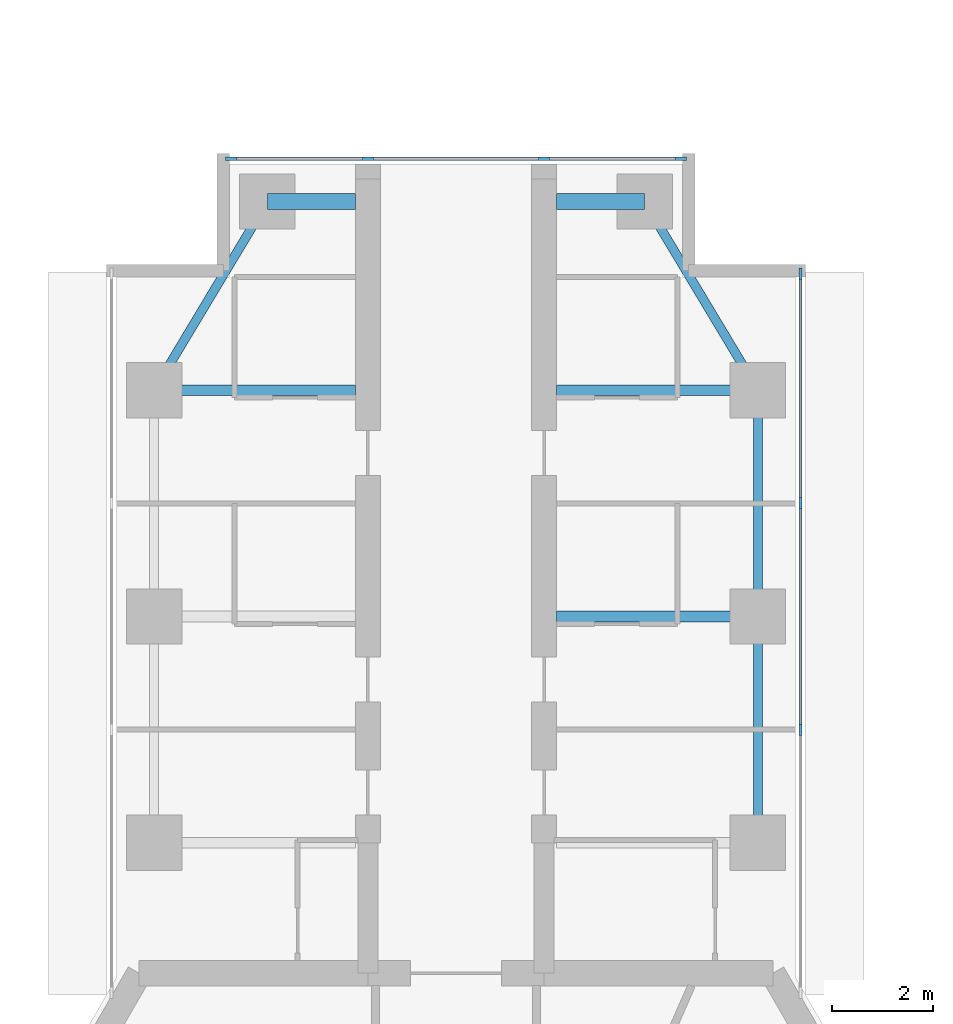
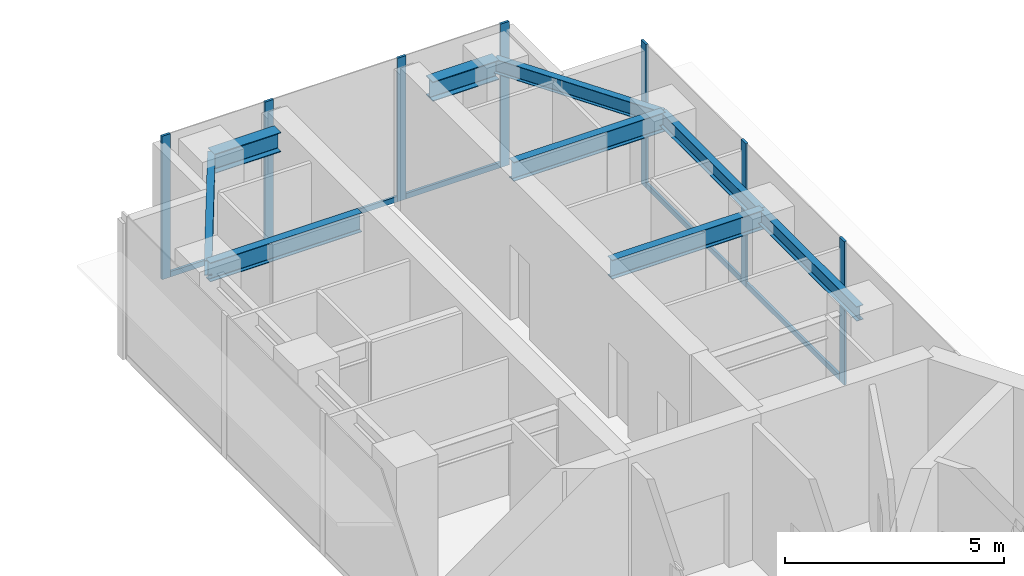
# One storey, part 9 of 18: 12 members, 9 beams, 2 elements without a shape of their own.
"""IFC4 building model written with IfcOpenShell, lengths in metres."""

import ifcopenshell
import ifcopenshell.guid

model = None  # the IFC model being written
_history = None  # IfcOwnerHistory: only IFC2X3 demands one
_inside = {}  # id of a spatial element -> (the spatial element, [elements in it])
_under = {}  # id of a project, library or spatial element -> (it, [spatial elements below it])
_declared = {}  # id of a project -> (the project, [libraries it declares])
_typed = {}  # id of a type object -> (the type object, [elements of that type])
_made_of = {}  # id of a material, layer set ... -> (it, [elements and type objects made of it])


def new_model(schema):
    """Start an empty IFC model of exactly this schema.

    Asked for "IFC4X3", IfcOpenShell would pick the latest addendum, in which some entities
    have other attributes; the version numbers below select the first issue.
    IFC2X3 requires an IfcOwnerHistory on every rooted entity: one is made here for all.
    """
    global model, _history
    if schema == "IFC4X3":
        model = ifcopenshell.file(schema_version=(4, 3, 0, 0))
    else:
        model = ifcopenshell.file(schema=schema)
    _inside.clear()
    _under.clear()
    _declared.clear()
    _typed.clear()
    _made_of.clear()
    _history = None
    if model.schema == "IFC2X3":
        org = make("IfcOrganization", Name="unknown")
        user = make(
            "IfcPersonAndOrganization",
            ThePerson=make("IfcPerson", FamilyName="unknown"),
            TheOrganization=org,
        )
        app = make(
            "IfcApplication",
            ApplicationDeveloper=org,
            Version="unknown",
            ApplicationFullName="unknown",
            ApplicationIdentifier="unknown",
        )
        _history = make(
            "IfcOwnerHistory",
            OwningUser=user,
            OwningApplication=app,
            ChangeAction="ADDED",
            CreationDate=0,
        )
    return model


def make(cls, **values):
    """One entity of the class cls with the attributes given. An attribute that is None is left unset."""
    return model.create_entity(
        cls, **{name: value for name, value in values.items() if value is not None}
    )


def rooted(cls, **values):
    """An entity with a GlobalId (a new one), such as an element, a storey or a relation."""
    return make(cls, GlobalId=ifcopenshell.guid.new(), OwnerHistory=_history, **values)


def si_unit(unit_type, name, prefix=None):
    """IfcSIUnit, for example si_unit("LENGTHUNIT", "METRE", prefix="MILLI")."""
    return make("IfcSIUnit", UnitType=unit_type, Prefix=prefix, Name=name)


def assignment(units):
    """IfcUnitAssignment: the units of a project."""
    return None if units is None else make("IfcUnitAssignment", Units=units)


def point(xyz):
    """IfcCartesianPoint."""
    return None if xyz is None else make("IfcCartesianPoint", Coordinates=xyz)


def direction(xyz):
    """IfcDirection."""
    return None if xyz is None else make("IfcDirection", DirectionRatios=xyz)


def frame(location, z_axis=None, x_axis=None):
    """IfcAxis2Placement3D, a coordinate frame: its origin and axes. An axis left out is left unset."""
    return make(
        "IfcAxis2Placement3D",
        Location=point(location),
        Axis=direction(z_axis),
        RefDirection=direction(x_axis),
    )


def frame_2d(location, x_axis=None):
    """IfcAxis2Placement2D, a coordinate frame in the plane: its origin and x axis."""
    return make(
        "IfcAxis2Placement2D", Location=point(location), RefDirection=direction(x_axis)
    )


def origin():
    """The frame at (0, 0, 0) with its axes left unset."""
    return frame((0.0, 0.0, 0.0))


def origin_2d():
    """The frame at (0, 0) in the plane with its x axis left unset."""
    return frame_2d((0.0, 0.0))


def place(relative_to, where):
    """IfcLocalPlacement: puts the frame where relative to a parent placement (None: the world)."""
    return make(
        "IfcLocalPlacement", PlacementRelTo=relative_to, RelativePlacement=where
    )


def context(
    kind, dimensions, precision=None, world=None, true_north=None, identifier=None
):
    """IfcGeometricRepresentationContext, for example the 3D "Model" context."""
    return make(
        "IfcGeometricRepresentationContext",
        ContextIdentifier=identifier,
        ContextType=kind,
        CoordinateSpaceDimension=dimensions,
        Precision=precision,
        WorldCoordinateSystem=world,
        TrueNorth=true_north,
    )


def subcontext(parent, identifier, kind, view, scale=None):
    """IfcGeometricRepresentationSubContext, for example "Body" below "Model"."""
    return make(
        "IfcGeometricRepresentationSubContext",
        ContextIdentifier=identifier,
        ContextType=kind,
        ParentContext=parent,
        TargetScale=scale,
        TargetView=view,
    )


def project(units=None, contexts=None):
    """IfcProject with its units and contexts."""
    return rooted(
        "IfcProject",
        Name="project",
        RepresentationContexts=contexts,
        UnitsInContext=assignment(units),
    )


def spatial(cls, under=None, at=None, **own):
    """A site, building, storey or space (cls), placed at a placement, below another one or the project."""
    s = rooted(cls, ObjectPlacement=at, **own)
    if under is not None:
        _under.setdefault(under.id(), (under, []))[1].append(s)
    return s


def profile(cls, at=None, kind="AREA", **sizes):
    """A parametric profile (cls). Its sizes go by their IFC names, for example OverallWidth=200.0."""
    return make(cls, ProfileType=kind, Position=at, **sizes)


def rectangle(**sizes):
    """IfcRectangleProfileDef."""
    return profile("IfcRectangleProfileDef", **sizes)


def i_section(**sizes):
    """IfcIShapeProfileDef."""
    return profile("IfcIShapeProfileDef", **sizes)


def extrude(swept, where, along, depth):
    """IfcExtrudedAreaSolid: the profile swept, set in the frame where, extruded along a direction by depth."""
    return make(
        "IfcExtrudedAreaSolid",
        SweptArea=swept,
        Position=where,
        ExtrudedDirection=direction(along),
        Depth=depth,
    )


def shape(context_of_items, identifier, shape_type, items):
    """IfcShapeRepresentation: the items that make up one representation, for example the "Body"."""
    return make(
        "IfcShapeRepresentation",
        ContextOfItems=context_of_items,
        RepresentationIdentifier=identifier,
        RepresentationType=shape_type,
        Items=items,
    )


def material(Name=None, Category=None):
    """IfcMaterial."""
    return make("IfcMaterial", Name=Name, Category=Category)


def material_profile(
    of_material, cross_section, Name=None, Category=None, Priority=None
):
    """IfcMaterialProfile: a cross section and its material."""
    return make(
        "IfcMaterialProfile",
        Name=Name,
        Material=of_material,
        Profile=cross_section,
        Priority=Priority,
        Category=Category,
    )


def profile_set(profiles, Name=None, composite=None):
    """IfcMaterialProfileSet."""
    return make(
        "IfcMaterialProfileSet",
        Name=Name,
        MaterialProfiles=profiles,
        CompositeProfile=composite,
    )


def made_of(thing, what):
    """Note that an element or type object is made of a material, layer set ...; save() writes the relation."""
    if what is not None:
        _made_of.setdefault(what.id(), (what, []))[1].append(thing)
    return thing


def type_object(cls, material=None, **own):
    """A type object (cls), such as IfcWallType, which elements share."""
    return made_of(rooted(cls, **own), material)


def element(
    cls,
    number,
    at=None,
    inside=None,
    cuts=None,
    type_object=None,
    material=None,
    context=None,
    identifier="Body",
    shape_type=None,
    held_by="IfcProductDefinitionShape",
    body=None,
    shapes=None,
    **own,
):
    """One element of the class cls, such as IfcWall. Its Tag is "e" and its number.

    at: its placement. inside: the storey or other place that contains it. cuts: it is an
    opening in that element (IfcRelVoidsElement). A single representation is given by context,
    identifier, shape_type and body (its items); several are given by shapes. held_by: the class
    of the entity that holds the representations. save() writes the other relations.
    """
    e = rooted(cls, Tag="e%d" % number, ObjectPlacement=at, **own)
    if body is not None:
        shapes = [shape(context, identifier, shape_type, body)]
    if shapes is not None:
        e.Representation = make(held_by, Representations=shapes)
    if inside is not None:
        _inside.setdefault(inside.id(), (inside, []))[1].append(e)
    if cuts is not None:
        rooted(
            "IfcRelVoidsElement", RelatingBuildingElement=cuts, RelatedOpeningElement=e
        )
    if type_object is not None:
        _typed.setdefault(type_object.id(), (type_object, []))[1].append(e)
    return made_of(e, material)


def aggregate(whole, parts):
    """IfcRelAggregates: a whole, such as a stair, and the parts it consists of."""
    return rooted("IfcRelAggregates", RelatingObject=whole, RelatedObjects=parts)


def save(model, path):
    """Write the relations noted so far, then the file.

    IfcRelAggregates (storeys below a building ...), IfcRelContainedInSpatialStructure (elements
    in a storey), IfcRelDefinesByType, IfcRelAssociatesMaterial and IfcRelDeclares: one each for
    every whole, place, type object, material and project.
    """
    for whole, parts in _under.values():
        aggregate(whole, parts)
    for where, things in _inside.values():
        rooted(
            "IfcRelContainedInSpatialStructure",
            RelatedElements=things,
            RelatingStructure=where,
        )
    for kind, things in _typed.values():
        rooted("IfcRelDefinesByType", RelatedObjects=things, RelatingType=kind)
    for what, things in _made_of.values():
        rooted("IfcRelAssociatesMaterial", RelatedObjects=things, RelatingMaterial=what)
    for by, libraries in _declared.values():
        rooted("IfcRelDeclares", RelatingContext=by, RelatedDefinitions=libraries)
    model.write(path)


model = new_model("IFC4")

# Units and contexts
model_context = context("Model", 3, precision=1e-05, world=origin(), true_north=direction((0.0, 1.0)))
body_context = subcontext(model_context, "Body", "Model", "MODEL_VIEW")
ifc_project = project(units=[si_unit("LENGTHUNIT", "METRE"), si_unit("AREAUNIT", "SQUARE_METRE"), si_unit("VOLUMEUNIT", "CUBIC_METRE"), si_unit("PLANEANGLEUNIT", "RADIAN"), si_unit("MASSUNIT", "GRAM", prefix="KILO")], contexts=[model_context])

# Site, building, storey
site_placement = place(None, origin())
site = spatial("IfcSite", under=ifc_project, at=site_placement, CompositionType="ELEMENT")
building_placement = place(site_placement, origin())
building = spatial("IfcBuilding", under=site, at=building_placement, Name="Upepo Twin Towers", CompositionType="ELEMENT")
storey_placement = place(building_placement, frame((0.0, 0.0, 222.5)))
storey = spatial("IfcBuildingStorey", under=building, at=storey_placement, Name="L54", CompositionType="ELEMENT", Elevation=222.5)

# Beams
ifc_material_1 = material(Name="Steel S355", Category="steel")
ifc_material_profile_1 = material_profile(ifc_material_1, i_section(OverallWidth=0.177978515625, OverallDepth=0.406494140625, WebThickness=0.0078125, FlangeThickness=0.0126953125, FilletRadius=0.01025390625, at=origin_2d()), Name="UB 406x178x60")
ifc_profile_set_1 = profile_set([ifc_material_profile_1], Name="Steel S355")
beam_type_1 = type_object("IfcBeamType", Name="Beam UB 406x178x60", PredefinedType="BEAM", material=ifc_profile_set_1)
beam_1_placement = place(storey_placement, frame((52.5, 4.5, 3.5966796875), z_axis=(0.514495755428, 0.857492925713, 0.0), x_axis=(-0.857492925713, 0.514495755428, 0.0)))
element("IfcBeam", 1, at=beam_1_placement, inside=storey, type_object=beam_type_1, Name="T2 nose edge beam AL", PredefinedType="BEAM", context=body_context, shape_type="SweptSolid", body=[
    extrude(i_section(OverallWidth=0.177978515625, OverallDepth=0.406494140625, WebThickness=0.0078125, FlangeThickness=0.0126953125, FilletRadius=0.01025390625, at=origin_2d()), origin(), (0.0, 0.0, 1.0), 4.373291015625),
])
for number, where, z_axis, x_axis, name in (
    (2, (64.5, -4.5, 3.5966796875), (0.0, 1.0, 0.0), (-1.0, 0.0, 0.0), "T2 edge beam AR 13.5-18.0"),
    (3, (64.5, 0.0, 3.5966796875), (0.0, 1.0, 0.0), (-1.0, 0.0, 0.0), "T2 edge beam AR 18.0-22.5"),
):
    element("IfcBeam", number, at=place(storey_placement, frame(where, z_axis=z_axis, x_axis=x_axis)), inside=storey, type_object=beam_type_1, Name=name, PredefinedType="BEAM", context=body_context, shape_type="SweptSolid", body=[
        extrude(i_section(OverallWidth=0.177978515625, OverallDepth=0.406494140625, WebThickness=0.0078125, FlangeThickness=0.0126953125, FilletRadius=0.01025390625, at=origin_2d()), origin(), (0.0, 0.0, 1.0), 4.5),
    ])
beam_2_placement = place(storey_placement, frame((64.5, 4.5, 3.5966796875), z_axis=(-0.514495755428, 0.857492925713, 0.0), x_axis=(-0.857492925713, -0.514495755428, 0.0)))
element("IfcBeam", 4, at=beam_2_placement, inside=storey, type_object=beam_type_1, Name="T2 nose edge beam AR", PredefinedType="BEAM", context=body_context, shape_type="SweptSolid", body=[
    extrude(i_section(OverallWidth=0.177978515625, OverallDepth=0.406494140625, WebThickness=0.0078125, FlangeThickness=0.0126953125, FilletRadius=0.01025390625, at=origin_2d()), origin(), (0.0, 0.0, 1.0), 4.373291015625),
])
ifc_material_2 = material(Name="Steel S355", Category="steel")
ifc_material_profile_2 = material_profile(ifc_material_2, i_section(OverallWidth=0.209228515625, OverallDepth=0.533203125, WebThickness=0.010009765625, FlangeThickness=0.015625, FilletRadius=0.0126953125, at=origin_2d()), Name="UB 533x210x92")
ifc_profile_set_2 = profile_set([ifc_material_profile_2], Name="Steel S355")
beam_type_2 = type_object("IfcBeamType", Name="Beam UB 533x210x92", PredefinedType="BEAM", material=ifc_profile_set_2)
for number, where, z_axis, x_axis, name in (
    (5, (52.5, 4.5, 3.533447265625), (1.0, 0.0, 0.0), (0.0, 1.0, 0.0), "T2 girder AL at 22.5"),
    (6, (64.5, 0.0, 3.533447265625), (-1.0, 0.0, 0.0), (0.0, -1.0, 0.0), "T2 girder AR at 18.0"),
    (7, (64.5, 4.5, 3.533447265625), (-1.0, 0.0, 0.0), (0.0, -1.0, 0.0), "T2 girder AR at 22.5"),
):
    element("IfcBeam", number, at=place(storey_placement, frame(where, z_axis=z_axis, x_axis=x_axis)), inside=storey, type_object=beam_type_2, Name=name, PredefinedType="BEAM", context=body_context, shape_type="SweptSolid", body=[
        extrude(i_section(OverallWidth=0.209228515625, OverallDepth=0.533203125, WebThickness=0.010009765625, FlangeThickness=0.015625, FilletRadius=0.0126953125, at=origin_2d()), origin(), (0.0, 0.0, 1.0), 4.0),
    ])
ifc_material_3 = material(Name="Steel S355", Category="steel")
ifc_material_profile_3 = material_profile(ifc_material_3, i_section(OverallWidth=0.31201171875, OverallDepth=0.54345703125, WebThickness=0.0126953125, FlangeThickness=0.020263671875, FilletRadius=0.0126953125, at=origin_2d()), Name="UB 533x312x150")
ifc_profile_set_3 = profile_set([ifc_material_profile_3], Name="Steel S355")
beam_type_3 = type_object("IfcBeamType", Name="Beam UB 533x312x150", PredefinedType="BEAM", material=ifc_profile_set_3)
for number, where, z_axis, x_axis, name in (
    (8, (54.75, 8.25, 3.5283203125), (1.0, 0.0, 0.0), (0.0, 1.0, 0.0), "T2 nose beam AL"),
    (9, (62.25, 8.25, 3.5283203125), (-1.0, 0.0, 0.0), (0.0, -1.0, 0.0), "T2 nose beam AR"),
):
    element("IfcBeam", number, at=place(storey_placement, frame(where, z_axis=z_axis, x_axis=x_axis)), inside=storey, type_object=beam_type_3, Name=name, PredefinedType="BEAM", context=body_context, shape_type="SweptSolid", body=[
        extrude(i_section(OverallWidth=0.31201171875, OverallDepth=0.54345703125, WebThickness=0.0126953125, FlangeThickness=0.020263671875, FilletRadius=0.0126953125, at=origin_2d()), origin(), (0.0, 0.0, 1.0), 1.75),
    ])

# Curtain wall, members
ifc_material_4 = material(Name="Aluminium and fritted glass", Category="aluminium")
curtain_wall_type = type_object("IfcCurtainWallType", Name="Tower curtain wall TW3, fritted glass", PredefinedType="NOTDEFINED", material=ifc_material_4)
curtain_wall_1_placement = place(storey_placement, origin())
curtain_wall_1 = element("IfcCurtainWall", 10, at=curtain_wall_1_placement, inside=storey, type_object=curtain_wall_type, Name="T2 L54 wing A flank R curtain wall", PredefinedType="NOTDEFINED")
ifc_material_5 = material(Name="Aluminium mullion", Category="aluminium")
ifc_material_profile_4 = material_profile(ifc_material_5, rectangle(XDim=0.06494140625, YDim=0.22509765625, at=origin_2d()), Name="MULLION 65x225")
ifc_profile_set_4 = profile_set([ifc_material_profile_4], Name="Aluminium mullion")
member_type_1 = type_object("IfcMemberType", Name="Mullion 65x225 TW3", PredefinedType="MULLION", material=ifc_profile_set_4)
member_1_placement = place(storey_placement, frame((65.35009765625, 6.8173828125, 0.0), z_axis=(0.0, 0.0, 1.0), x_axis=(1.0, 0.0, 0.0)))
member_1 = element("IfcMember", 11, at=member_1_placement, type_object=member_type_1, Name="T2 L54 wing A flank R curtain wall mullion 1", PredefinedType="MULLION", context=body_context, shape_type="SweptSolid", body=[
    extrude(rectangle(XDim=0.06494140625, YDim=0.22509765625, at=origin_2d()), origin(), (0.0, 0.0, 1.0), 4.0),
])
member_2_placement = place(storey_placement, frame((65.35009765625, 2.25, 0.0), z_axis=(0.0, 0.0, 1.0), x_axis=(1.0, 0.0, 0.0)))
member_2 = element("IfcMember", 12, at=member_2_placement, type_object=member_type_1, Name="T2 L54 wing A flank R curtain wall mullion 2", PredefinedType="MULLION", context=body_context, shape_type="SweptSolid", body=[
    extrude(rectangle(XDim=0.06494140625, YDim=0.22509765625, at=origin_2d()), origin(), (0.0, 0.0, 1.0), 4.0),
])
member_3_placement = place(storey_placement, frame((65.35009765625, -2.25, 0.0), z_axis=(0.0, 0.0, 1.0), x_axis=(1.0, 0.0, 0.0)))
member_3 = element("IfcMember", 13, at=member_3_placement, type_object=member_type_1, Name="T2 L54 wing A flank R curtain wall mullion 3", PredefinedType="MULLION", context=body_context, shape_type="SweptSolid", body=[
    extrude(rectangle(XDim=0.06494140625, YDim=0.22509765625, at=origin_2d()), origin(), (0.0, 0.0, 1.0), 4.0),
])

curtain_wall_2_placement = place(storey_placement, origin())
curtain_wall_2 = element("IfcCurtainWall", 14, at=curtain_wall_2_placement, inside=storey, type_object=curtain_wall_type, Name="T2 L54 wing A nose curtain wall", PredefinedType="NOTDEFINED")
member_4_placement = place(storey_placement, frame((62.967529296875, 9.10009765625, 0.0), z_axis=(0.0, 0.0, 1.0), x_axis=(0.0, -1.0, 0.0)))
member_4 = element("IfcMember", 15, at=member_4_placement, type_object=member_type_1, Name="T2 L54 wing A nose curtain wall mullion 1", PredefinedType="MULLION", context=body_context, shape_type="SweptSolid", body=[
    extrude(rectangle(XDim=0.06494140625, YDim=0.22509765625, at=origin_2d()), origin(), (0.0, 0.0, 1.0), 4.0),
])
member_5_placement = place(storey_placement, frame((60.25, 9.10009765625, 0.0), z_axis=(0.0, 0.0, 1.0), x_axis=(0.0, -1.0, 0.0)))
member_5 = element("IfcMember", 16, at=member_5_placement, type_object=member_type_1, Name="T2 L54 wing A nose curtain wall mullion 2", PredefinedType="MULLION", context=body_context, shape_type="SweptSolid", body=[
    extrude(rectangle(XDim=0.06494140625, YDim=0.22509765625, at=origin_2d()), origin(), (0.0, 0.0, 1.0), 4.0),
])
member_6_placement = place(storey_placement, frame((56.75, 9.10009765625, 0.0), z_axis=(0.0, 0.0, 1.0), x_axis=(0.0, -1.0, 0.0)))
member_6 = element("IfcMember", 17, at=member_6_placement, type_object=member_type_1, Name="T2 L54 wing A nose curtain wall mullion 3", PredefinedType="MULLION", context=body_context, shape_type="SweptSolid", body=[
    extrude(rectangle(XDim=0.06494140625, YDim=0.22509765625, at=origin_2d()), origin(), (0.0, 0.0, 1.0), 4.0),
])
member_7_placement = place(storey_placement, frame((54.032470703125, 9.10009765625, 0.0), z_axis=(0.0, 0.0, 1.0), x_axis=(0.0, -1.0, 0.0)))
member_7 = element("IfcMember", 18, at=member_7_placement, type_object=member_type_1, Name="T2 L54 wing A nose curtain wall mullion 4", PredefinedType="MULLION", context=body_context, shape_type="SweptSolid", body=[
    extrude(rectangle(XDim=0.06494140625, YDim=0.22509765625, at=origin_2d()), origin(), (0.0, 0.0, 1.0), 4.0),
])

# Member
ifc_material_6 = material(Name="Aluminium transom", Category="aluminium")
ifc_material_profile_5 = material_profile(ifc_material_6, rectangle(XDim=0.06494140625, YDim=0.14990234375, at=origin_2d()), Name="TRANSOM 65x150")
ifc_profile_set_5 = profile_set([ifc_material_profile_5], Name="Aluminium transom")
member_type_2 = type_object("IfcMemberType", Name="Transom 65x150 TW3", PredefinedType="USERDEFINED", material=ifc_profile_set_5)
member_8_placement = place(storey_placement, frame((65.35009765625, 6.784912109375, 0.074951171875), z_axis=(0.0, -1.0, 0.0), x_axis=(1.0, 0.0, 0.0)))
member_8 = element("IfcMember", 19, at=member_8_placement, type_object=member_type_2, Name="T2 L54 wing A flank R curtain wall transom 1", ObjectType="TRANSOM", PredefinedType="USERDEFINED", context=body_context, shape_type="SweptSolid", body=[
    extrude(rectangle(XDim=0.06494140625, YDim=0.14990234375, at=origin_2d()), origin(), (0.0, 0.0, 1.0), 4.50244140625),
])

member_9_placement = place(storey_placement, frame((65.35009765625, 2.217529296875, 0.074951171875), z_axis=(0.0, -1.0, 0.0), x_axis=(1.0, 0.0, 0.0)))
member_9 = element("IfcMember", 20, at=member_9_placement, type_object=member_type_2, Name="T2 L54 wing A flank R curtain wall transom 2", ObjectType="TRANSOM", PredefinedType="USERDEFINED", context=body_context, shape_type="SweptSolid", body=[
    extrude(rectangle(XDim=0.06494140625, YDim=0.14990234375, at=origin_2d()), origin(), (0.0, 0.0, 1.0), 4.43505859375),
])

aggregate(curtain_wall_1, [member_1, member_2, member_3, member_8, member_9])

member_10_placement = place(storey_placement, frame((62.93505859375, 9.10009765625, 0.074951171875), z_axis=(-1.0, 0.0, 0.0), x_axis=(0.0, -1.0, 0.0)))
member_10 = element("IfcMember", 21, at=member_10_placement, type_object=member_type_2, Name="T2 L54 wing A nose curtain wall transom 1", ObjectType="TRANSOM", PredefinedType="USERDEFINED", context=body_context, shape_type="SweptSolid", body=[
    extrude(rectangle(XDim=0.06494140625, YDim=0.14990234375, at=origin_2d()), origin(), (0.0, 0.0, 1.0), 2.652587890625),
])

member_11_placement = place(storey_placement, frame((60.217529296875, 9.10009765625, 0.074951171875), z_axis=(-1.0, 0.0, 0.0), x_axis=(0.0, -1.0, 0.0)))
member_11 = element("IfcMember", 22, at=member_11_placement, type_object=member_type_2, Name="T2 L54 wing A nose curtain wall transom 2", ObjectType="TRANSOM", PredefinedType="USERDEFINED", context=body_context, shape_type="SweptSolid", body=[
    extrude(rectangle(XDim=0.06494140625, YDim=0.14990234375, at=origin_2d()), origin(), (0.0, 0.0, 1.0), 3.43505859375),
])

member_12_placement = place(storey_placement, frame((56.717529296875, 9.10009765625, 0.074951171875), z_axis=(-1.0, 0.0, 0.0), x_axis=(0.0, -1.0, 0.0)))
member_12 = element("IfcMember", 23, at=member_12_placement, type_object=member_type_2, Name="T2 L54 wing A nose curtain wall transom 3", ObjectType="TRANSOM", PredefinedType="USERDEFINED", context=body_context, shape_type="SweptSolid", body=[
    extrude(rectangle(XDim=0.06494140625, YDim=0.14990234375, at=origin_2d()), origin(), (0.0, 0.0, 1.0), 2.652587890625),
])

aggregate(curtain_wall_2, [member_4, member_5, member_6, member_7, member_10, member_11, member_12])

save(model, "model.ifc")
